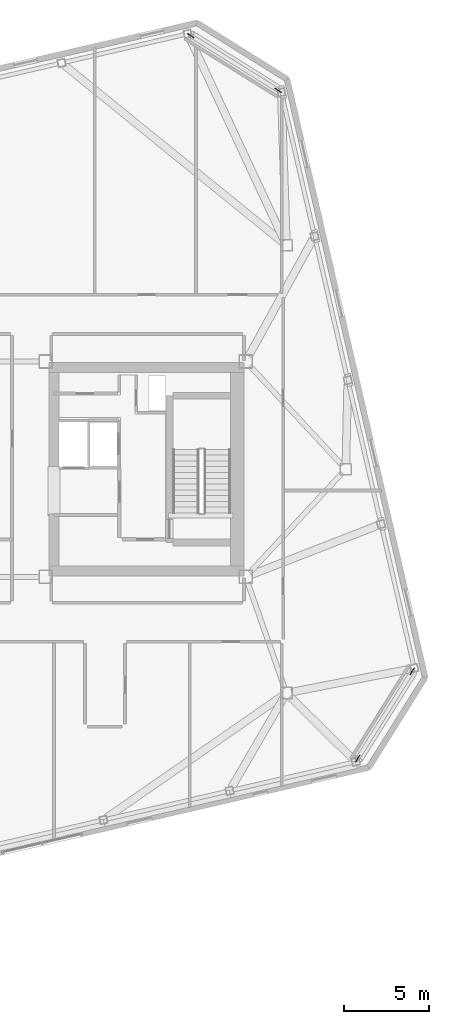
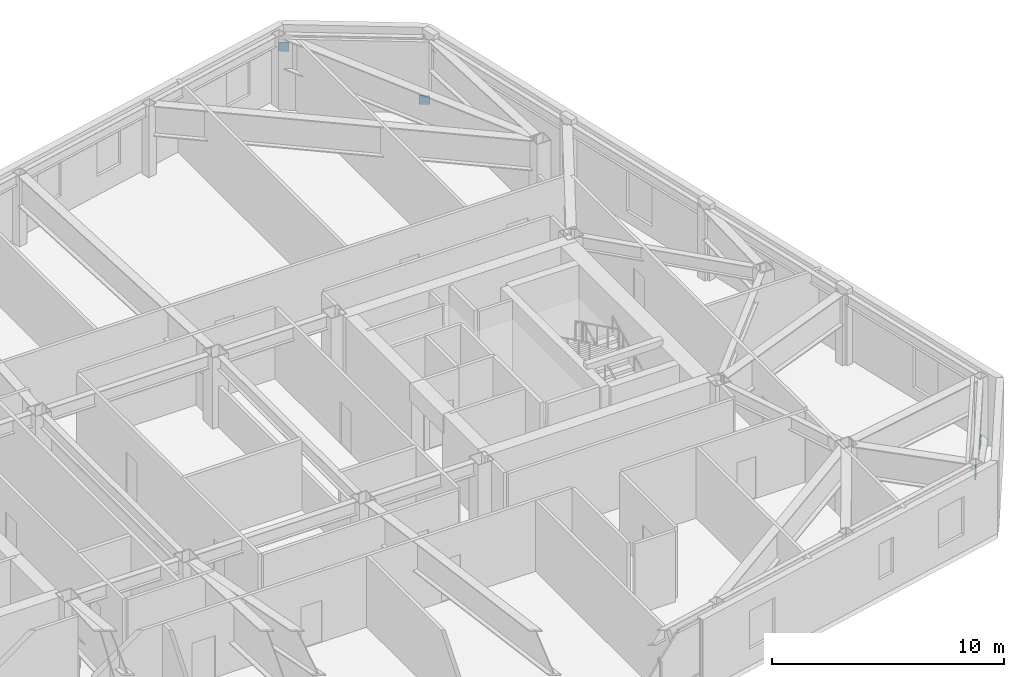
# One storey, part 20 of 21: 4 discrete accessories.
"""IFC4 building model written with IfcOpenShell, lengths in metres."""

from ifc_helpers import new_model, si_unit, direction, frame, origin, origin_2d, place, context, subcontext, project, spatial, rectangle, extrude, material, type_object, element, save


model = new_model("IFC4")

# Units and contexts
model_context = context("Model", 3, precision=1e-05, world=origin(), true_north=direction((0.0, 1.0)))
body_context = subcontext(model_context, "Body", "Model", "MODEL_VIEW")
ifc_project = project(units=[si_unit("LENGTHUNIT", "METRE"), si_unit("AREAUNIT", "SQUARE_METRE"), si_unit("VOLUMEUNIT", "CUBIC_METRE"), si_unit("PLANEANGLEUNIT", "RADIAN"), si_unit("MASSUNIT", "GRAM", prefix="KILO")], contexts=[model_context])

# Site, building, storey
site_placement = place(None, origin())
site = spatial("IfcSite", under=ifc_project, at=site_placement, CompositionType="ELEMENT")
building_placement = place(site_placement, origin())
building = spatial("IfcBuilding", under=site, at=building_placement, Name="Tavrogorsk Clinical Tower", CompositionType="ELEMENT")
storey_placement = place(building_placement, frame((0.0, 0.0, 281.0)))
storey = spatial("IfcBuildingStorey", under=building, at=storey_placement, Name="L65", CompositionType="ELEMENT", Elevation=281.0)

# Discrete accessories
ifc_material = material(Name="Structural steel S440", Category="steel")
discrete_accessory_type = type_object("IfcDiscreteAccessoryType", Name="GussetPlateBracket_25", PredefinedType="BRACKET", material=ifc_material)
for number, where, z_axis, x_axis, name in (
    (1, (31.9228515625, -11.9091796875, 0.163330078125), (0.0, 0.0, 1.0), (-0.529919264233, -0.848048096156, 0.0), "L65 Brace Gusset Plate EXOCRN-L65-1-A"),
    (2, (28.70166015625, -17.063720703125, 2.81689453125), (0.0, 0.0, 1.0), (-0.529919264233, -0.848048096156, 0.0), "L65 Brace Gusset Plate EXOCRN-L65-1-B"),
    (3, (24.017578125, 22.332275390625, 0.163330078125), (0.0, 0.0, 1.0), (-0.848048096156, 0.529919264233, 0.0), "L65 Brace Gusset Plate EXOCRN-L65-2-A"),
    (4, (18.86279296875, 25.55322265625, 2.81689453125), (0.0, 0.0, 1.0), (-0.848048096156, 0.529919264233, 0.0), "L65 Brace Gusset Plate EXOCRN-L65-2-B"),
):
    element("IfcDiscreteAccessory", number, at=place(storey_placement, frame(where, z_axis=z_axis, x_axis=x_axis)), inside=storey, type_object=discrete_accessory_type, Name=name, PredefinedType="BRACKET", context=body_context, shape_type="SweptSolid", body=[
        extrude(rectangle(XDim=0.4599609375, YDim=0.0400390625, at=origin_2d()), origin(), (0.0, 0.0, 1.0), 0.4599609375),
    ])

save(model, "model.ifc")
